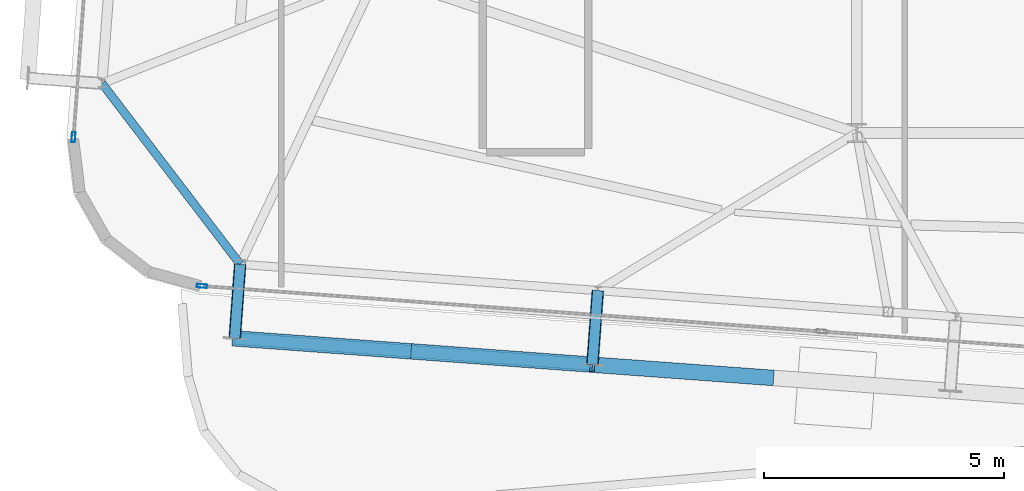
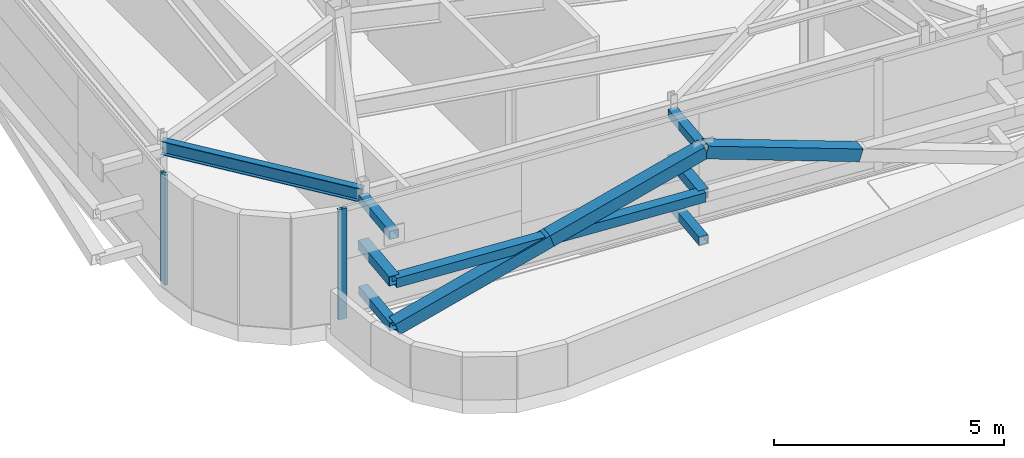
# One storey, part 9 of 37: 12 members, 1 beam, 2 elements without a shape of their own.
"""IFC4 building model written with IfcOpenShell, lengths in metres."""

from ifc_helpers import new_model, si_unit, direction, frame, origin, origin_2d, place, context, subcontext, project, spatial, hollow_rectangle, i_section, extrude, source, transform, mapped, material, layer, layer_set, material_profile, profile_set, type_object, element, aggregate, save


model = new_model("IFC4")

# Units and contexts
model_context = context("Model", 3, precision=1e-05, world=origin(), true_north=direction((0.0, 1.0)))
body_context = subcontext(model_context, "Body", "Model", "MODEL_VIEW")
ifc_project = project(units=[si_unit("LENGTHUNIT", "METRE"), si_unit("AREAUNIT", "SQUARE_METRE"), si_unit("VOLUMEUNIT", "CUBIC_METRE"), si_unit("PLANEANGLEUNIT", "RADIAN"), si_unit("MASSUNIT", "GRAM", prefix="KILO")], contexts=[model_context])

# Site, building, storey
site_placement = place(None, origin())
site = spatial("IfcSite", under=ifc_project, at=site_placement, CompositionType="ELEMENT")
building_placement = place(site_placement, origin())
building = spatial("IfcBuilding", under=site, at=building_placement, Name="Taldren Reach Tower", CompositionType="ELEMENT")
storey_placement = place(building_placement, frame((0.0, 0.0, 211.39990234375)))
storey = spatial("IfcBuildingStorey", under=building, at=storey_placement, Name="L64", CompositionType="ELEMENT", Elevation=211.39990234375)

# Members
ifc_material_1 = material(Name="Steel Gr 350 (C350L0)", Category="steel")
ifc_material_profile_1 = material_profile(ifc_material_1, hollow_rectangle(XDim=0.25, YDim=0.25, WallThickness=0.010009765625, at=origin_2d()), Name="250x250x10.0SHS")
ifc_profile_set_1 = profile_set([ifc_material_profile_1], Name="Steel Gr 350 (C350L0)")
member_type_1 = type_object("IfcMemberType", Name="MB-POST250", PredefinedType="POST", material=ifc_profile_set_1)
shared_shape_1 = source(origin(), body_context, "Body", "SweptSolid", [
    extrude(hollow_rectangle(XDim=0.25, YDim=0.25, WallThickness=0.010009765625, at=origin_2d()), origin(), (0.0, 0.0, 1.0), 1.5498046875),
])
member_1_placement = place(storey_placement, frame((22.6005859375, 5.912353515625, 1.43505859375), z_axis=(-0.073250797913, -0.997313551801, 0.0), x_axis=(0.997313551801, -0.073250797913, 0.0)))
element("IfcMember", 1, at=member_1_placement, inside=storey, type_object=member_type_1, Name="Exoskeleton mid-tier diaphragm tie B5-S2 L64", PredefinedType="POST", context=body_context, shape_type="MappedRepresentation", body=[
    mapped(shared_shape_1, transform((0.0, 0.0, 0.0), scale=1.0)),
])
shared_shape_2 = source(origin(), body_context, "Body", "SweptSolid", [
    extrude(hollow_rectangle(XDim=0.25, YDim=0.25, WallThickness=0.010009765625, at=origin_2d()), origin(), (0.0, 0.0, 1.0), 1.550048828125),
])
member_2_placement = place(storey_placement, frame((15.140625, 6.460205078125, 1.43505859375), z_axis=(-0.07323929162, -0.997314396849, 0.0), x_axis=(0.997314396849, -0.07323929162, 0.0)))
element("IfcMember", 2, at=member_2_placement, inside=storey, type_object=member_type_1, Name="Exoskeleton mid-tier diaphragm tie B5-S1 L64", PredefinedType="POST", context=body_context, shape_type="MappedRepresentation", body=[
    mapped(shared_shape_2, transform((0.0, 0.0, 0.0), scale=1.0)),
])
ifc_material_2 = material(Name="Steel Gr 450 (C450L0)", Category="steel")
ifc_material_profile_2 = material_profile(ifc_material_2, hollow_rectangle(XDim=0.219970703125, YDim=0.219970703125, WallThickness=0.00830078125, at=origin_2d()), Name="220x220x8.2SHS")
ifc_profile_set_2 = profile_set([ifc_material_profile_2], Name="Steel Gr 450 (C450L0)")
member_type_2 = type_object("IfcMemberType", Name="MB-TIE219", PredefinedType="STRUT", material=ifc_profile_set_2)
shared_shape_3 = source(origin(), body_context, "Body", "SweptSolid", [
    extrude(hollow_rectangle(XDim=0.219970703125, YDim=0.219970703125, WallThickness=0.00830078125, at=origin_2d()), origin(), (0.0, 0.0, 1.0), 1.5498046875),
])
for number, where, z_axis, x_axis, name in (
    (3, (22.6005859375, 5.912353515625, 2.650146484375), (-0.073250797913, -0.997313551801, 0.0), (0.997313551801, -0.073250797913, 0.0), "Exoskeleton diaphragm tie strut B5-S2 L64"),
    (4, (22.6005859375, 5.912353515625, 0.22021484375), (-0.073250797913, -0.997313551801, 0.0), (0.997313551801, -0.073250797913, 0.0), "Exoskeleton base diaphragm tie strut B5-S2 L64"),
):
    element("IfcMember", number, at=place(storey_placement, frame(where, z_axis=z_axis, x_axis=x_axis)), inside=storey, type_object=member_type_2, Name=name, PredefinedType="STRUT", context=body_context, shape_type="MappedRepresentation", body=[
        mapped(shared_shape_3, transform((0.0, 0.0, 0.0), scale=1.0)),
    ])
shared_shape_4 = source(origin(), body_context, "Body", "SweptSolid", [
    extrude(hollow_rectangle(XDim=0.219970703125, YDim=0.219970703125, WallThickness=0.00830078125, at=origin_2d()), origin(), (0.0, 0.0, 1.0), 1.550048828125),
])
for number, where, z_axis, x_axis, name in (
    (5, (15.140625, 6.460205078125, 2.650146484375), (-0.07323929162, -0.997314396849, 0.0), (0.997314396849, -0.07323929162, 0.0), "Exoskeleton diaphragm tie strut B5-S1 L64"),
    (6, (15.140625, 6.460205078125, 0.22021484375), (-0.07323929162, -0.997314396849, 0.0), (0.997314396849, -0.07323929162, 0.0), "Exoskeleton base diaphragm tie strut B5-S1 L64"),
):
    element("IfcMember", number, at=place(storey_placement, frame(where, z_axis=z_axis, x_axis=x_axis)), inside=storey, type_object=member_type_2, Name=name, PredefinedType="STRUT", context=body_context, shape_type="MappedRepresentation", body=[
        mapped(shared_shape_4, transform((0.0, 0.0, 0.0), scale=1.0)),
    ])

# Beam
ifc_material_3 = material(Name="Steel Gr 350 (350PLUS)", Category="steel")
ifc_material_profile_3 = material_profile(ifc_material_3, i_section(OverallWidth=0.172119140625, OverallDepth=0.35888671875, WebThickness=0.008056640625, FlangeThickness=0.012939453125, at=origin_2d()), Name="360UB56.7")
ifc_profile_set_3 = profile_set([ifc_material_profile_3], Name="Steel Gr 350 (350PLUS)")
beam_type = type_object("IfcBeamType", Name="SP-UB360", PredefinedType="SPANDREL", material=ifc_profile_set_3)
shared_shape_5 = source(origin(), body_context, "Body", "SweptSolid", [
    extrude(i_section(OverallWidth=0.172119140625, OverallDepth=0.35888671875, WebThickness=0.008056640625, FlangeThickness=0.012939453125, at=origin_2d()), origin(), (0.0, 0.0, 1.0), 4.74609375),
])
beam_placement = place(storey_placement, frame((12.259033203125, 10.2314453125, 2.75048828125), z_axis=(0.607144568334, -0.794591387533, 0.0), x_axis=(0.794591387533, 0.607144568334, 0.0)))
element("IfcBeam", 7, at=beam_placement, inside=storey, type_object=beam_type, Name="Perimeter spandrel B5 W1-S1 L64", PredefinedType="SPANDREL", context=body_context, shape_type="MappedRepresentation", body=[
    mapped(shared_shape_5, transform((0.0, 0.0, 0.0), scale=1.0)),
])

# Members
ifc_material_profile_4 = material_profile(ifc_material_2, hollow_rectangle(XDim=0.324951171875, YDim=0.324951171875, WallThickness=0.0126953125, at=origin_2d()), Name="325x325x12.7SHS")
ifc_profile_set_4 = profile_set([ifc_material_profile_4], Name="Steel Gr 450 (C450L0)")
member_type_3 = type_object("IfcMemberType", Name="MB-BR324", PredefinedType="BRACE", material=ifc_profile_set_4)
shared_shape_6 = source(origin(), body_context, "Body", "SweptSolid", [
    extrude(hollow_rectangle(XDim=0.324951171875, YDim=0.324951171875, WallThickness=0.0126953125, at=origin_2d()), origin(), (0.0, 0.0, 1.0), 3.932373046875),
])
for number, where, z_axis, x_axis, name in (
    (8, (15.027099609375, 4.914306640625, 0.22021484375), (0.948529326954, -0.06965898055, 0.308933232813), (0.07324169103, 0.997314220642, 0.0), "Exoskeleton Diagrid Brace B5-S1 L64"),
    (9, (18.757080078125, 4.640380859375, 1.43505859375), (0.948515232963, -0.069595861772, 0.308990726172), (0.073176762938, 0.997318986767, 0.0), "Exoskeleton Diagrid Brace B5-S1 L64"),
    (10, (26.217041015625, 4.0927734375, 1.43505859375), (-0.948511132845, 0.069657644394, 0.308989390507), (-0.07324169103, -0.997314220642, 0.0), "Exoskeleton Diagrid Brace B5-S2 L64"),
):
    element("IfcMember", number, at=place(storey_placement, frame(where, z_axis=z_axis, x_axis=x_axis)), inside=storey, type_object=member_type_3, Name=name, PredefinedType="BRACE", context=body_context, shape_type="MappedRepresentation", body=[
        mapped(shared_shape_6, transform((0.0, 0.0, 0.0), scale=1.0)),
    ])
shared_shape_7 = source(origin(), body_context, "Body", "SweptSolid", [
    extrude(hollow_rectangle(XDim=0.25, YDim=0.25, WallThickness=0.010009765625, at=origin_2d()), origin(), (0.0, 0.0, 1.0), 7.47998046875),
])
member_3_placement = place(storey_placement, frame((15.027099609375, 4.914306640625, 1.43505859375), z_axis=(0.997316604227, -0.0732092271, 0.0), x_axis=(0.0732092271, 0.997316604227, 0.0)))
element("IfcMember", 11, at=member_3_placement, inside=storey, type_object=member_type_1, Name="Exoskeleton mid-height ring chord B5-S1 L64", PredefinedType="POST", context=body_context, shape_type="MappedRepresentation", body=[
    mapped(shared_shape_7, transform((0.0, 0.0, 0.0), scale=1.0)),
])

# Curtain wall, member
ifc_material_4 = material(Name="Aluminium and Low-E Glass Unitised System", Category="aluminium")
ifc_layer = layer(ifc_material_4, 0.159912109375)
ifc_layer_set = layer_set([ifc_layer], Name="Aluminium and Low-E Glass Unitised System")
curtain_wall_type = type_object("IfcCurtainWallType", Name="CW-SYS-6", PredefinedType="NOTDEFINED", material=ifc_layer_set)
curtain_wall_1_placement = place(storey_placement, origin())
curtain_wall_1 = element("IfcCurtainWall", 12, at=curtain_wall_1_placement, inside=storey, type_object=curtain_wall_type, Name="Unitised curtain wall CW-L64-S", PredefinedType="NOTDEFINED")
ifc_material_5 = material(Name="Anodised Aluminium 6063-T6", Category="aluminium")
ifc_material_profile_5 = material_profile(ifc_material_5, hollow_rectangle(XDim=0.074951171875, YDim=0.2099609375, WallThickness=0.00439453125, at=origin_2d()), Name="ALU-210x75x4.5RHS")
ifc_profile_set_5 = profile_set([ifc_material_profile_5], Name="Anodised Aluminium 6063-T6")
member_type_4 = type_object("IfcMemberType", Name="CW-MUL-200", PredefinedType="MULLION", material=ifc_profile_set_5)
shared_shape_8 = source(origin(), body_context, "Body", "SweptSolid", [
    extrude(hollow_rectangle(XDim=0.074951171875, YDim=0.2099609375, WallThickness=0.00439453125, at=origin_2d()), origin(), (0.0, 0.0, 1.0), 2.93017578125),
])
member_4_placement = place(storey_placement, frame((14.3427734375, 6.007568359375, 0.0), z_axis=(0.0, 0.0, 1.0), x_axis=(0.073238213716, 0.997314476006, 0.0)))
member_4 = element("IfcMember", 13, at=member_4_placement, type_object=member_type_4, Name="CW-6 mullion 1", PredefinedType="MULLION", context=body_context, shape_type="MappedRepresentation", body=[
    mapped(shared_shape_8, transform((0.0, 0.0, 0.0), scale=1.0)),
])
aggregate(curtain_wall_1, [member_4])

curtain_wall_2_placement = place(storey_placement, origin())
curtain_wall_2 = element("IfcCurtainWall", 14, at=curtain_wall_2_placement, inside=storey, type_object=curtain_wall_type, Name="Unitised curtain wall CW-L64-W", PredefinedType="NOTDEFINED")
member_5_placement = place(storey_placement, frame((11.665283203125, 9.109375, 0.0), z_axis=(0.0, 0.0, 1.0), x_axis=(0.997314470951, -0.073238282558, 0.0)))
member_5 = element("IfcMember", 15, at=member_5_placement, type_object=member_type_4, Name="CW-6 mullion 3", PredefinedType="MULLION", context=body_context, shape_type="MappedRepresentation", body=[
    mapped(shared_shape_8, transform((0.0, 0.0, 0.0), scale=1.0)),
])
aggregate(curtain_wall_2, [member_5])

save(model, "model.ifc")
